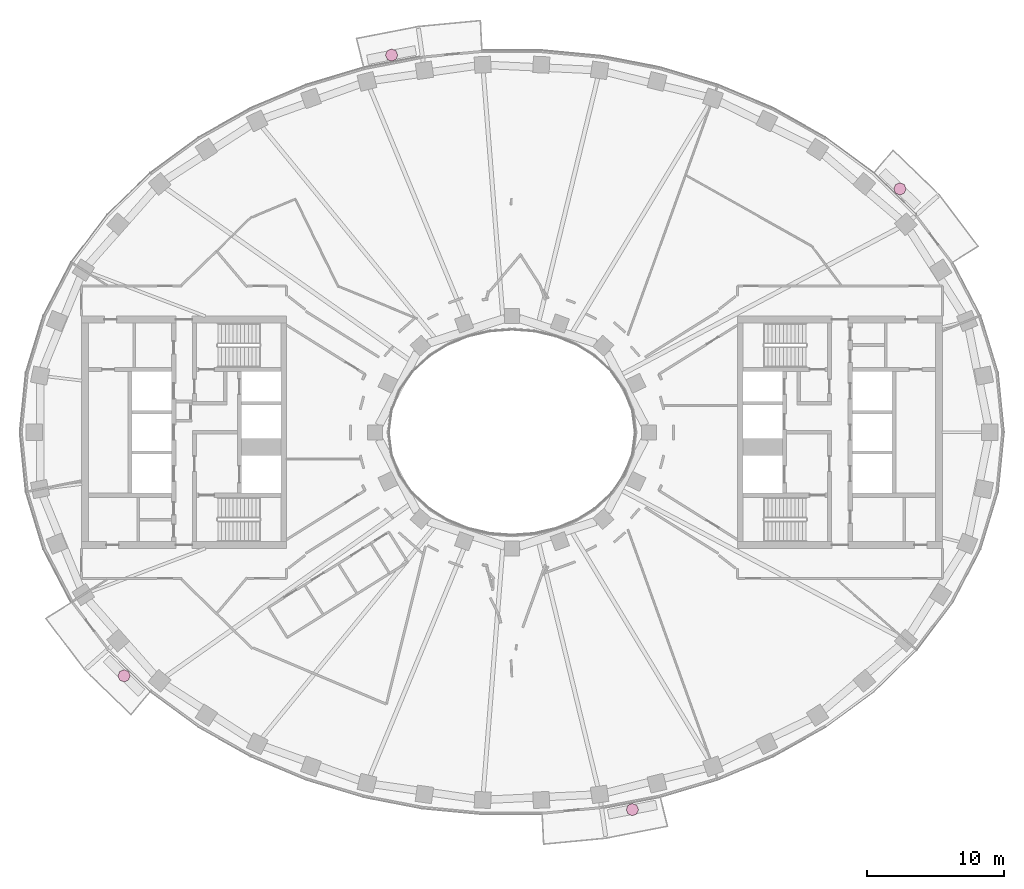
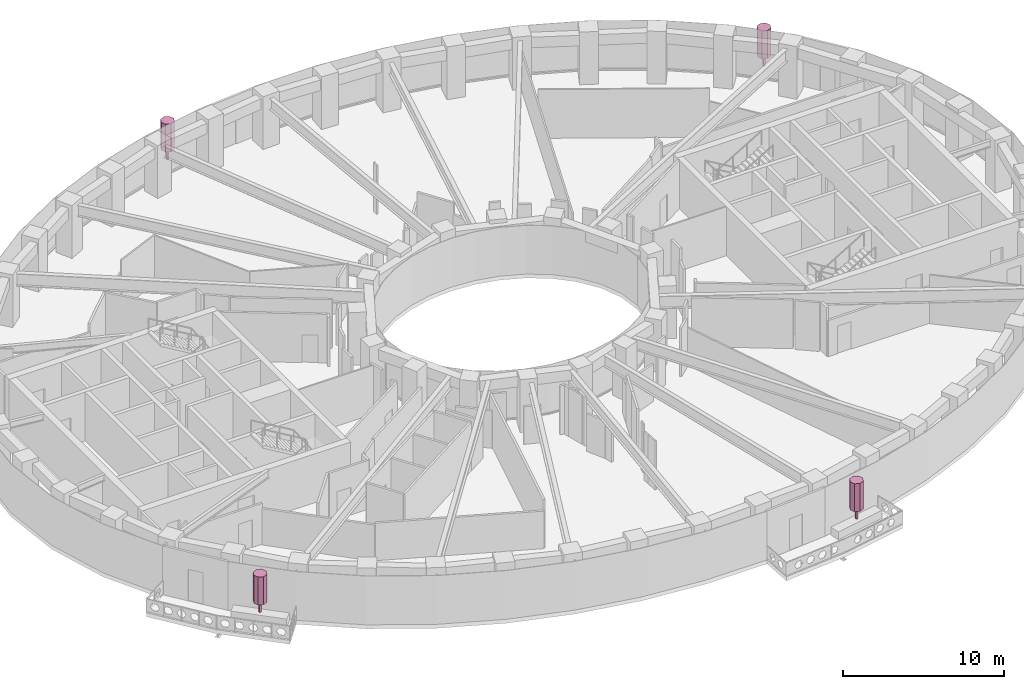
# One storey, part 16 of 16: 4 furnishings.
"""IFC4 building model written with IfcOpenShell, lengths in metres."""

from ifc_helpers import new_model, si_unit, direction, frame, origin, origin_2d, place, context, subcontext, project, spatial, polyline, rectangle, outline, extrude, material, type_object, element, save


model = new_model("IFC4")

# Units and contexts
model_context = context("Model", 3, precision=1e-05, world=origin(), true_north=direction((0.0, 1.0)))
body_context = subcontext(model_context, "Body", "Model", "MODEL_VIEW")
ifc_project = project(units=[si_unit("LENGTHUNIT", "METRE"), si_unit("AREAUNIT", "SQUARE_METRE"), si_unit("VOLUMEUNIT", "CUBIC_METRE"), si_unit("PLANEANGLEUNIT", "RADIAN"), si_unit("MASSUNIT", "GRAM", prefix="KILO")], contexts=[model_context])

# Site, building, storey
site_placement = place(None, origin())
site = spatial("IfcSite", under=ifc_project, at=site_placement, CompositionType="ELEMENT")
building_placement = place(site_placement, origin())
building = spatial("IfcBuilding", under=site, at=building_placement, Name="Noorbagh Ring Tower", CompositionType="ELEMENT")
storey_placement = place(building_placement, frame((0.0, 0.0, 150.0)))
storey = spatial("IfcBuildingStorey", under=building, at=storey_placement, Name="L34", CompositionType="ELEMENT", Elevation=150.0)

# Furnishings
ifc_material = material(Name="Planting foliage green")
furnishing_element_type = type_object("IfcFurnishingElementType", Name="ENV-TREE", material=ifc_material)
for number, where, z_axis, x_axis, name in (
    (1, (28.3837890625, 17.814208984375, 0.60009765625), (0.0, 0.0, 1.0), (1.0, 0.0, 0.0), "Tree BN01"),
    (2, (-8.807861328125, 27.603515625, 0.60009765625), (0.0, 0.0, 1.0), (1.0, 0.0, 0.0), "Tree BN04"),
    (3, (-28.3837890625, -17.814208984375, 0.60009765625), (0.0, 0.0, 1.0), (1.0, 0.0, 0.0), "Tree BS01"),
    (4, (8.807861328125, -27.603515625, 0.60009765625), (0.0, 0.0, 1.0), (1.0, 0.0, 0.0), "Tree BS04"),
):
    element("IfcFurnishingElement", number, at=place(storey_placement, frame(where, z_axis=z_axis, x_axis=x_axis)), inside=storey, type_object=furnishing_element_type, Name=name, context=body_context, shape_type="SweptSolid", body=[
        extrude(rectangle(XDim=0.1201171875, YDim=0.1201171875, at=origin_2d()), origin(), (0.0, 0.0, 1.0), 0.825927734375),
        extrude(outline(polyline([(0.449951171875, 0.0), (0.318115234375, 0.318115234375), (0.0, 0.449951171875), (-0.318115234375, 0.318115234375), (-0.449951171875, 0.0), (-0.318115234375, -0.318115234375), (0.0, -0.449951171875), (0.318115234375, -0.318115234375), (0.449951171875, 0.0)])), frame((0.0, 0.0, 0.825927734375)), (0.0, 0.0, 1.0), 2.1240234375),
    ])

save(model, "model.ifc")
